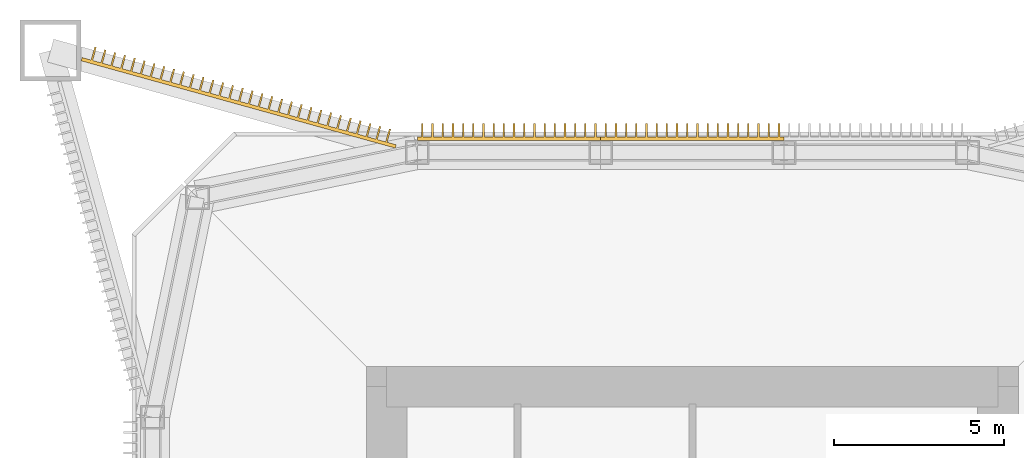
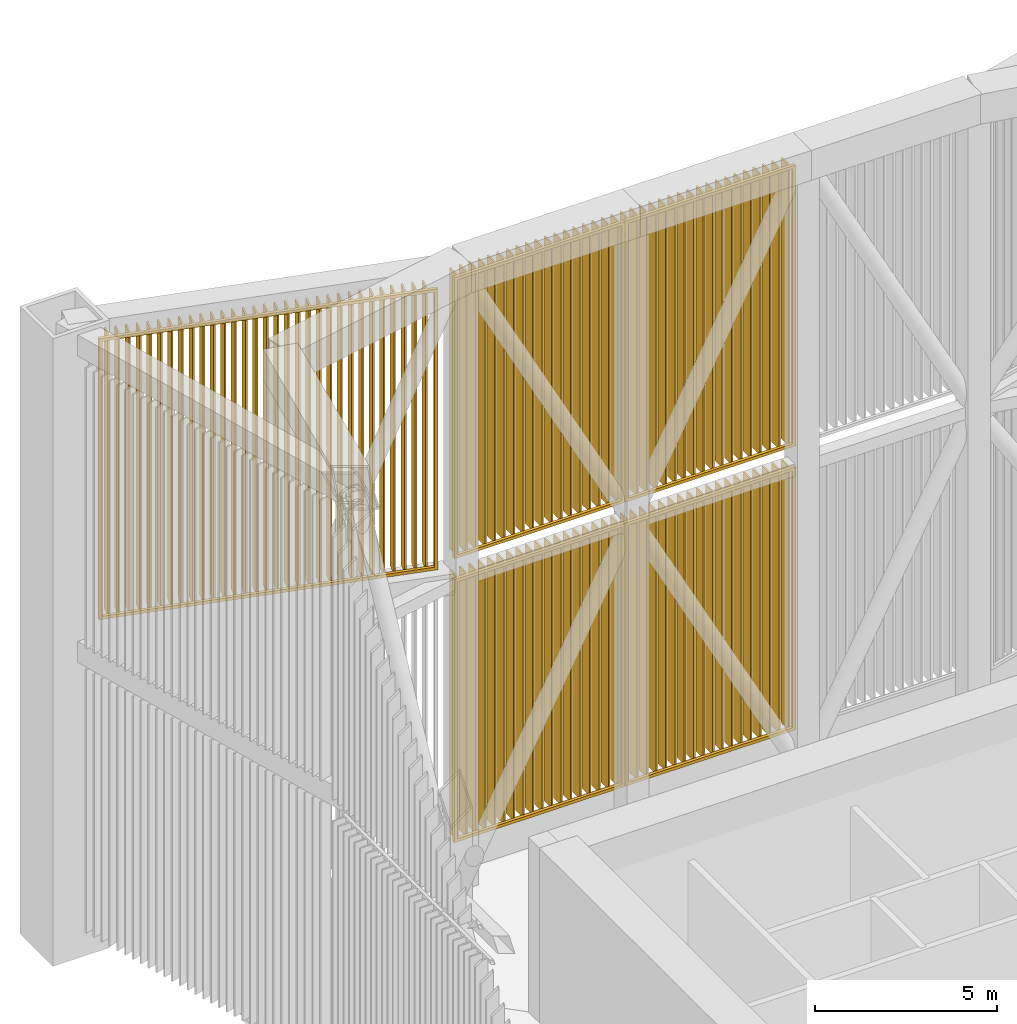
# One storey, part 11 of 13: 5 shading devices.
"""IFC4 building model written with IfcOpenShell, lengths in metres."""

from ifc_helpers import new_model, si_unit, direction, frame, origin, origin_2d, place, context, subcontext, project, spatial, rectangle, extrude, material, layer, layer_set, type_object, element, save


model = new_model("IFC4")

# Units and contexts
model_context = context("Model", 3, precision=1e-05, world=origin(), true_north=direction((0.0, 1.0)))
body_context = subcontext(model_context, "Body", "Model", "MODEL_VIEW")
ifc_project = project(units=[si_unit("LENGTHUNIT", "METRE"), si_unit("AREAUNIT", "SQUARE_METRE"), si_unit("VOLUMEUNIT", "CUBIC_METRE"), si_unit("PLANEANGLEUNIT", "RADIAN"), si_unit("MASSUNIT", "GRAM", prefix="KILO")], contexts=[model_context])

# Site, building, storey
site_placement = place(None, origin())
site = spatial("IfcSite", under=ifc_project, at=site_placement, CompositionType="ELEMENT")
building_placement = place(site_placement, origin())
building = spatial("IfcBuilding", under=site, at=building_placement, Name="Iwan Alto Co-Living Towers", CompositionType="ELEMENT")
storey_placement = place(building_placement, frame((0.0, 0.0, 267.5)))
storey = spatial("IfcBuildingStorey", under=building, at=storey_placement, Name="RF", CompositionType="ELEMENT", Elevation=267.5)

# Shading devices
ifc_material_1 = material(Name="Aluminium 6063-T6 bronze anodised", Category="aluminium")
ifc_layer_1 = layer(ifc_material_1, 0.39990234375, Name="Fins", Category="Finish")
ifc_material_2 = material(Name="Steel ASTM A36 galvanised frame", Category="steel")
ifc_layer_2 = layer(ifc_material_2, 0.10009765625, Name="Panel frame", Category="Framing")
ifc_layer_set_1 = layer_set([ifc_layer_1, ifc_layer_2], Name="CROWN FIN SCREEN CORNER PANEL")
shading_device_type_1 = type_object("IfcShadingDeviceType", Name="CROWN FIN SCREEN CORNER PANEL", PredefinedType="USERDEFINED", material=ifc_layer_set_1)
shading_device_1_placement = place(storey_placement, frame((0.0, 0.0, -267.5)))
element("IfcShadingDevice", 1, at=shading_device_1_placement, inside=storey, type_object=shading_device_type_1, Name="T1 crown fin screen NW-N upper", ObjectType="LOUVER", PredefinedType="USERDEFINED", context=body_context, shape_type="SweptSolid", body=[
    extrude(rectangle(XDim=9.59912109375, YDim=0.10009765625, at=origin_2d()), frame((-13.3603515625, 17.361083984375, 278.099853515625), z_axis=(0.0, 0.0, 1.0), x_axis=(-0.963517909615, 0.267643863841, 0.0)), (0.0, 0.0, 1.0), 0.10009765625),
    extrude(rectangle(XDim=9.59912109375, YDim=0.10009765625, at=origin_2d()), frame((-13.3603515625, 17.361083984375, 287.39990234375), z_axis=(0.0, 0.0, 1.0), x_axis=(-0.963517909615, 0.267643863841, 0.0)), (0.0, 0.0, 1.0), 0.10009765625),
    extrude(rectangle(XDim=0.10009765625, YDim=0.10009765625, at=origin_2d()), frame((-8.7841796875, 16.090087890625, 278.195068359375), z_axis=(0.0, 0.0, 1.0), x_axis=(-0.963517909615, 0.267643863841, 0.0)), (0.0, 0.0, 1.0), 9.2099609375),
    extrude(rectangle(XDim=0.10009765625, YDim=0.10009765625, at=origin_2d()), frame((-17.9365234375, 18.63232421875, 278.195068359375), z_axis=(0.0, 0.0, 1.0), x_axis=(-0.963517909615, 0.267643863841, 0.0)), (0.0, 0.0, 1.0), 9.2099609375),
    extrude(rectangle(XDim=0.050048828125, YDim=0.405029296875, at=origin_2d()), frame((-8.958251953125, 16.395263671875, 278.10009765625), z_axis=(0.0, 0.0, 1.0), x_axis=(-0.963517909615, 0.267643863841, 0.0)), (0.0, 0.0, 1.0), 9.39990234375),
    extrude(rectangle(XDim=0.050048828125, YDim=0.405029296875, at=origin_2d()), frame((-9.247314453125, 16.4755859375, 278.10009765625), z_axis=(0.0, 0.0, 1.0), x_axis=(-0.963517909615, 0.267643863841, 0.0)), (0.0, 0.0, 1.0), 9.39990234375),
    extrude(rectangle(XDim=0.050048828125, YDim=0.405029296875, at=origin_2d()), frame((-9.536376953125, 16.555908203125, 278.10009765625), z_axis=(0.0, 0.0, 1.0), x_axis=(-0.963517909615, 0.267643863841, 0.0)), (0.0, 0.0, 1.0), 9.39990234375),
    extrude(rectangle(XDim=0.050048828125, YDim=0.405029296875, at=origin_2d()), frame((-9.825439453125, 16.63623046875, 278.10009765625), z_axis=(0.0, 0.0, 1.0), x_axis=(-0.963517909615, 0.267643863841, 0.0)), (0.0, 0.0, 1.0), 9.39990234375),
    extrude(rectangle(XDim=0.050048828125, YDim=0.405029296875, at=origin_2d()), frame((-10.114501953125, 16.71630859375, 278.10009765625), z_axis=(0.0, 0.0, 1.0), x_axis=(-0.963517909615, 0.267643863841, 0.0)), (0.0, 0.0, 1.0), 9.39990234375),
    extrude(rectangle(XDim=0.050048828125, YDim=0.405029296875, at=origin_2d()), frame((-10.403564453125, 16.796630859375, 278.10009765625), z_axis=(0.0, 0.0, 1.0), x_axis=(-0.963517909615, 0.267643863841, 0.0)), (0.0, 0.0, 1.0), 9.39990234375),
    extrude(rectangle(XDim=0.050048828125, YDim=0.405029296875, at=origin_2d()), frame((-10.692626953125, 16.876953125, 278.10009765625), z_axis=(0.0, 0.0, 1.0), x_axis=(-0.963517909615, 0.267643863841, 0.0)), (0.0, 0.0, 1.0), 9.39990234375),
    extrude(rectangle(XDim=0.050048828125, YDim=0.405029296875, at=origin_2d()), frame((-10.981689453125, 16.957275390625, 278.10009765625), z_axis=(0.0, 0.0, 1.0), x_axis=(-0.963517909615, 0.267643863841, 0.0)), (0.0, 0.0, 1.0), 9.39990234375),
    extrude(rectangle(XDim=0.050048828125, YDim=0.405029296875, at=origin_2d()), frame((-11.270751953125, 17.03759765625, 278.10009765625), z_axis=(0.0, 0.0, 1.0), x_axis=(-0.963517909615, 0.267643863841, 0.0)), (0.0, 0.0, 1.0), 9.39990234375),
    extrude(rectangle(XDim=0.050048828125, YDim=0.405029296875, at=origin_2d()), frame((-11.559814453125, 17.117919921875, 278.10009765625), z_axis=(0.0, 0.0, 1.0), x_axis=(-0.963517909615, 0.267643863841, 0.0)), (0.0, 0.0, 1.0), 9.39990234375),
    extrude(rectangle(XDim=0.050048828125, YDim=0.405029296875, at=origin_2d()), frame((-11.848876953125, 17.1982421875, 278.10009765625), z_axis=(0.0, 0.0, 1.0), x_axis=(-0.963517909615, 0.267643863841, 0.0)), (0.0, 0.0, 1.0), 9.39990234375),
    extrude(rectangle(XDim=0.050048828125, YDim=0.405029296875, at=origin_2d()), frame((-12.137939453125, 17.278564453125, 278.10009765625), z_axis=(0.0, 0.0, 1.0), x_axis=(-0.963517909615, 0.267643863841, 0.0)), (0.0, 0.0, 1.0), 9.39990234375),
    extrude(rectangle(XDim=0.050048828125, YDim=0.405029296875, at=origin_2d()), frame((-12.427001953125, 17.35888671875, 278.10009765625), z_axis=(0.0, 0.0, 1.0), x_axis=(-0.963517909615, 0.267643863841, 0.0)), (0.0, 0.0, 1.0), 9.39990234375),
    extrude(rectangle(XDim=0.050048828125, YDim=0.405029296875, at=origin_2d()), frame((-12.716064453125, 17.439208984375, 278.10009765625), z_axis=(0.0, 0.0, 1.0), x_axis=(-0.963517909615, 0.267643863841, 0.0)), (0.0, 0.0, 1.0), 9.39990234375),
    extrude(rectangle(XDim=0.050048828125, YDim=0.405029296875, at=origin_2d()), frame((-13.0048828125, 17.519287109375, 278.10009765625), z_axis=(0.0, 0.0, 1.0), x_axis=(-0.963517909615, 0.267643863841, 0.0)), (0.0, 0.0, 1.0), 9.39990234375),
    extrude(rectangle(XDim=0.050048828125, YDim=0.405029296875, at=origin_2d()), frame((-13.294189453125, 17.599609375, 278.10009765625), z_axis=(0.0, 0.0, 1.0), x_axis=(-0.963517909615, 0.267643863841, 0.0)), (0.0, 0.0, 1.0), 9.39990234375),
    extrude(rectangle(XDim=0.050048828125, YDim=0.405029296875, at=origin_2d()), frame((-13.5830078125, 17.679931640625, 278.10009765625), z_axis=(0.0, 0.0, 1.0), x_axis=(-0.963517909615, 0.267643863841, 0.0)), (0.0, 0.0, 1.0), 9.39990234375),
    extrude(rectangle(XDim=0.050048828125, YDim=0.405029296875, at=origin_2d()), frame((-13.872314453125, 17.76025390625, 278.10009765625), z_axis=(0.0, 0.0, 1.0), x_axis=(-0.963517909615, 0.267643863841, 0.0)), (0.0, 0.0, 1.0), 9.39990234375),
    extrude(rectangle(XDim=0.050048828125, YDim=0.405029296875, at=origin_2d()), frame((-14.161376953125, 17.840576171875, 278.10009765625), z_axis=(0.0, 0.0, 1.0), x_axis=(-0.963517909615, 0.267643863841, 0.0)), (0.0, 0.0, 1.0), 9.39990234375),
    extrude(rectangle(XDim=0.050048828125, YDim=0.405029296875, at=origin_2d()), frame((-14.4501953125, 17.9208984375, 278.10009765625), z_axis=(0.0, 0.0, 1.0), x_axis=(-0.963517909615, 0.267643863841, 0.0)), (0.0, 0.0, 1.0), 9.39990234375),
    extrude(rectangle(XDim=0.050048828125, YDim=0.405029296875, at=origin_2d()), frame((-14.739501953125, 18.001220703125, 278.10009765625), z_axis=(0.0, 0.0, 1.0), x_axis=(-0.963517909615, 0.267643863841, 0.0)), (0.0, 0.0, 1.0), 9.39990234375),
    extrude(rectangle(XDim=0.050048828125, YDim=0.405029296875, at=origin_2d()), frame((-15.0283203125, 18.081298828125, 278.10009765625), z_axis=(0.0, 0.0, 1.0), x_axis=(-0.963517909615, 0.267643863841, 0.0)), (0.0, 0.0, 1.0), 9.39990234375),
    extrude(rectangle(XDim=0.050048828125, YDim=0.405029296875, at=origin_2d()), frame((-15.3173828125, 18.16162109375, 278.10009765625), z_axis=(0.0, 0.0, 1.0), x_axis=(-0.963517909615, 0.267643863841, 0.0)), (0.0, 0.0, 1.0), 9.39990234375),
    extrude(rectangle(XDim=0.050048828125, YDim=0.405029296875, at=origin_2d()), frame((-15.6064453125, 18.241943359375, 278.10009765625), z_axis=(0.0, 0.0, 1.0), x_axis=(-0.963517909615, 0.267643863841, 0.0)), (0.0, 0.0, 1.0), 9.39990234375),
    extrude(rectangle(XDim=0.050048828125, YDim=0.405029296875, at=origin_2d()), frame((-15.8955078125, 18.322265625, 278.10009765625), z_axis=(0.0, 0.0, 1.0), x_axis=(-0.963517909615, 0.267643863841, 0.0)), (0.0, 0.0, 1.0), 9.39990234375),
    extrude(rectangle(XDim=0.050048828125, YDim=0.405029296875, at=origin_2d()), frame((-16.1845703125, 18.402587890625, 278.10009765625), z_axis=(0.0, 0.0, 1.0), x_axis=(-0.963517909615, 0.267643863841, 0.0)), (0.0, 0.0, 1.0), 9.39990234375),
    extrude(rectangle(XDim=0.050048828125, YDim=0.405029296875, at=origin_2d()), frame((-16.4736328125, 18.48291015625, 278.10009765625), z_axis=(0.0, 0.0, 1.0), x_axis=(-0.963517909615, 0.267643863841, 0.0)), (0.0, 0.0, 1.0), 9.39990234375),
    extrude(rectangle(XDim=0.050048828125, YDim=0.405029296875, at=origin_2d()), frame((-16.7626953125, 18.563232421875, 278.10009765625), z_axis=(0.0, 0.0, 1.0), x_axis=(-0.963517909615, 0.267643863841, 0.0)), (0.0, 0.0, 1.0), 9.39990234375),
    extrude(rectangle(XDim=0.050048828125, YDim=0.405029296875, at=origin_2d()), frame((-17.0517578125, 18.6435546875, 278.10009765625), z_axis=(0.0, 0.0, 1.0), x_axis=(-0.963517909615, 0.267643863841, 0.0)), (0.0, 0.0, 1.0), 9.39990234375),
    extrude(rectangle(XDim=0.050048828125, YDim=0.405029296875, at=origin_2d()), frame((-17.3408203125, 18.723876953125, 278.10009765625), z_axis=(0.0, 0.0, 1.0), x_axis=(-0.963517909615, 0.267643863841, 0.0)), (0.0, 0.0, 1.0), 9.39990234375),
    extrude(rectangle(XDim=0.050048828125, YDim=0.405029296875, at=origin_2d()), frame((-17.6298828125, 18.80419921875, 278.10009765625), z_axis=(0.0, 0.0, 1.0), x_axis=(-0.963517909615, 0.267643863841, 0.0)), (0.0, 0.0, 1.0), 9.39990234375),
])
ifc_layer_3 = layer(ifc_material_1, 0.39990234375, Name="Fins", Category="Finish")
ifc_layer_4 = layer(ifc_material_2, 0.10009765625, Name="Panel frame", Category="Framing")
ifc_layer_set_2 = layer_set([ifc_layer_3, ifc_layer_4], Name="CROWN FIN SCREEN PANEL")
shading_device_type_2 = type_object("IfcShadingDeviceType", Name="CROWN FIN SCREEN PANEL", PredefinedType="USERDEFINED", material=ifc_layer_set_2)
shading_device_2_placement = place(storey_placement, frame((0.0, 0.0, -267.5)))
element("IfcShadingDevice", 2, at=shading_device_2_placement, inside=storey, type_object=shading_device_type_2, Name="T1 crown fin screen N-02 lower", ObjectType="LOUVER", PredefinedType="USERDEFINED", context=body_context, shape_type="SweptSolid", body=[
    extrude(rectangle(XDim=5.39990234375, YDim=0.10009765625, at=origin_2d()), frame((0.0, 16.300048828125, 268.599853515625), z_axis=(0.0, 0.0, 1.0), x_axis=(-1.0, 0.0, 0.0)), (0.0, 0.0, 1.0), 0.10009765625),
    extrude(rectangle(XDim=5.39990234375, YDim=0.10009765625, at=origin_2d()), frame((0.0, 16.300048828125, 277.300048828125), z_axis=(0.0, 0.0, 1.0), x_axis=(-1.0, 0.0, 0.0)), (0.0, 0.0, 1.0), 0.10009765625),
    extrude(rectangle(XDim=0.10009765625, YDim=0.10009765625, at=origin_2d()), frame((2.64990234375, 16.300048828125, 268.69482421875), z_axis=(0.0, 0.0, 1.0), x_axis=(-1.0, 0.0, 0.0)), (0.0, 0.0, 1.0), 8.610107421875),
    extrude(rectangle(XDim=0.10009765625, YDim=0.10009765625, at=origin_2d()), frame((-2.64990234375, 16.300048828125, 268.69482421875), z_axis=(0.0, 0.0, 1.0), x_axis=(-1.0, 0.0, 0.0)), (0.0, 0.0, 1.0), 8.610107421875),
    extrude(rectangle(XDim=0.050048828125, YDim=0.405029296875, at=origin_2d()), frame((2.550048828125, 16.547607421875, 268.60009765625), z_axis=(0.0, 0.0, 1.0), x_axis=(-1.0, 0.0, 0.0)), (0.0, 0.0, 1.0), 8.800048828125),
    extrude(rectangle(XDim=0.050048828125, YDim=0.405029296875, at=origin_2d()), frame((2.25, 16.547607421875, 268.60009765625), z_axis=(0.0, 0.0, 1.0), x_axis=(-1.0, 0.0, 0.0)), (0.0, 0.0, 1.0), 8.800048828125),
    extrude(rectangle(XDim=0.050048828125, YDim=0.405029296875, at=origin_2d()), frame((1.949951171875, 16.547607421875, 268.60009765625), z_axis=(0.0, 0.0, 1.0), x_axis=(-1.0, 0.0, 0.0)), (0.0, 0.0, 1.0), 8.800048828125),
    extrude(rectangle(XDim=0.050048828125, YDim=0.405029296875, at=origin_2d()), frame((1.64990234375, 16.547607421875, 268.60009765625), z_axis=(0.0, 0.0, 1.0), x_axis=(-1.0, 0.0, 0.0)), (0.0, 0.0, 1.0), 8.800048828125),
    extrude(rectangle(XDim=0.050048828125, YDim=0.405029296875, at=origin_2d()), frame((1.35009765625, 16.547607421875, 268.60009765625), z_axis=(0.0, 0.0, 1.0), x_axis=(-1.0, 0.0, 0.0)), (0.0, 0.0, 1.0), 8.800048828125),
    extrude(rectangle(XDim=0.050048828125, YDim=0.405029296875, at=origin_2d()), frame((1.050048828125, 16.547607421875, 268.60009765625), z_axis=(0.0, 0.0, 1.0), x_axis=(-1.0, 0.0, 0.0)), (0.0, 0.0, 1.0), 8.800048828125),
    extrude(rectangle(XDim=0.050048828125, YDim=0.405029296875, at=origin_2d()), frame((0.75, 16.547607421875, 268.60009765625), z_axis=(0.0, 0.0, 1.0), x_axis=(-1.0, 0.0, 0.0)), (0.0, 0.0, 1.0), 8.800048828125),
    extrude(rectangle(XDim=0.050048828125, YDim=0.405029296875, at=origin_2d()), frame((0.449951171875, 16.547607421875, 268.60009765625), z_axis=(0.0, 0.0, 1.0), x_axis=(-1.0, 0.0, 0.0)), (0.0, 0.0, 1.0), 8.800048828125),
    extrude(rectangle(XDim=0.050048828125, YDim=0.405029296875, at=origin_2d()), frame((0.14990234375, 16.547607421875, 268.60009765625), z_axis=(0.0, 0.0, 1.0), x_axis=(-1.0, 0.0, 0.0)), (0.0, 0.0, 1.0), 8.800048828125),
    extrude(rectangle(XDim=0.050048828125, YDim=0.405029296875, at=origin_2d()), frame((-0.14990234375, 16.547607421875, 268.60009765625), z_axis=(0.0, 0.0, 1.0), x_axis=(-1.0, 0.0, 0.0)), (0.0, 0.0, 1.0), 8.800048828125),
    extrude(rectangle(XDim=0.050048828125, YDim=0.405029296875, at=origin_2d()), frame((-0.449951171875, 16.547607421875, 268.60009765625), z_axis=(0.0, 0.0, 1.0), x_axis=(-1.0, 0.0, 0.0)), (0.0, 0.0, 1.0), 8.800048828125),
    extrude(rectangle(XDim=0.050048828125, YDim=0.405029296875, at=origin_2d()), frame((-0.75, 16.547607421875, 268.60009765625), z_axis=(0.0, 0.0, 1.0), x_axis=(-1.0, 0.0, 0.0)), (0.0, 0.0, 1.0), 8.800048828125),
    extrude(rectangle(XDim=0.050048828125, YDim=0.405029296875, at=origin_2d()), frame((-1.050048828125, 16.547607421875, 268.60009765625), z_axis=(0.0, 0.0, 1.0), x_axis=(-1.0, 0.0, 0.0)), (0.0, 0.0, 1.0), 8.800048828125),
    extrude(rectangle(XDim=0.050048828125, YDim=0.405029296875, at=origin_2d()), frame((-1.35009765625, 16.547607421875, 268.60009765625), z_axis=(0.0, 0.0, 1.0), x_axis=(-1.0, 0.0, 0.0)), (0.0, 0.0, 1.0), 8.800048828125),
    extrude(rectangle(XDim=0.050048828125, YDim=0.405029296875, at=origin_2d()), frame((-1.64990234375, 16.547607421875, 268.60009765625), z_axis=(0.0, 0.0, 1.0), x_axis=(-1.0, 0.0, 0.0)), (0.0, 0.0, 1.0), 8.800048828125),
    extrude(rectangle(XDim=0.050048828125, YDim=0.405029296875, at=origin_2d()), frame((-1.949951171875, 16.547607421875, 268.60009765625), z_axis=(0.0, 0.0, 1.0), x_axis=(-1.0, 0.0, 0.0)), (0.0, 0.0, 1.0), 8.800048828125),
    extrude(rectangle(XDim=0.050048828125, YDim=0.405029296875, at=origin_2d()), frame((-2.25, 16.547607421875, 268.60009765625), z_axis=(0.0, 0.0, 1.0), x_axis=(-1.0, 0.0, 0.0)), (0.0, 0.0, 1.0), 8.800048828125),
    extrude(rectangle(XDim=0.050048828125, YDim=0.405029296875, at=origin_2d()), frame((-2.550048828125, 16.547607421875, 268.60009765625), z_axis=(0.0, 0.0, 1.0), x_axis=(-1.0, 0.0, 0.0)), (0.0, 0.0, 1.0), 8.800048828125),
])
shading_device_3_placement = place(storey_placement, frame((0.0, 0.0, -267.5)))
element("IfcShadingDevice", 3, at=shading_device_3_placement, inside=storey, type_object=shading_device_type_2, Name="T1 crown fin screen N-02 upper", ObjectType="LOUVER", PredefinedType="USERDEFINED", context=body_context, shape_type="SweptSolid", body=[
    extrude(rectangle(XDim=5.39990234375, YDim=0.10009765625, at=origin_2d()), frame((0.0, 16.300048828125, 278.099853515625), z_axis=(0.0, 0.0, 1.0), x_axis=(-1.0, 0.0, 0.0)), (0.0, 0.0, 1.0), 0.10009765625),
    extrude(rectangle(XDim=5.39990234375, YDim=0.10009765625, at=origin_2d()), frame((0.0, 16.300048828125, 287.39990234375), z_axis=(0.0, 0.0, 1.0), x_axis=(-1.0, 0.0, 0.0)), (0.0, 0.0, 1.0), 0.10009765625),
    extrude(rectangle(XDim=0.10009765625, YDim=0.10009765625, at=origin_2d()), frame((2.64990234375, 16.300048828125, 278.195068359375), z_axis=(0.0, 0.0, 1.0), x_axis=(-1.0, 0.0, 0.0)), (0.0, 0.0, 1.0), 9.2099609375),
    extrude(rectangle(XDim=0.10009765625, YDim=0.10009765625, at=origin_2d()), frame((-2.64990234375, 16.300048828125, 278.195068359375), z_axis=(0.0, 0.0, 1.0), x_axis=(-1.0, 0.0, 0.0)), (0.0, 0.0, 1.0), 9.2099609375),
    extrude(rectangle(XDim=0.050048828125, YDim=0.405029296875, at=origin_2d()), frame((2.550048828125, 16.547607421875, 278.10009765625), z_axis=(0.0, 0.0, 1.0), x_axis=(-1.0, 0.0, 0.0)), (0.0, 0.0, 1.0), 9.39990234375),
    extrude(rectangle(XDim=0.050048828125, YDim=0.405029296875, at=origin_2d()), frame((2.25, 16.547607421875, 278.10009765625), z_axis=(0.0, 0.0, 1.0), x_axis=(-1.0, 0.0, 0.0)), (0.0, 0.0, 1.0), 9.39990234375),
    extrude(rectangle(XDim=0.050048828125, YDim=0.405029296875, at=origin_2d()), frame((1.949951171875, 16.547607421875, 278.10009765625), z_axis=(0.0, 0.0, 1.0), x_axis=(-1.0, 0.0, 0.0)), (0.0, 0.0, 1.0), 9.39990234375),
    extrude(rectangle(XDim=0.050048828125, YDim=0.405029296875, at=origin_2d()), frame((1.64990234375, 16.547607421875, 278.10009765625), z_axis=(0.0, 0.0, 1.0), x_axis=(-1.0, 0.0, 0.0)), (0.0, 0.0, 1.0), 9.39990234375),
    extrude(rectangle(XDim=0.050048828125, YDim=0.405029296875, at=origin_2d()), frame((1.35009765625, 16.547607421875, 278.10009765625), z_axis=(0.0, 0.0, 1.0), x_axis=(-1.0, 0.0, 0.0)), (0.0, 0.0, 1.0), 9.39990234375),
    extrude(rectangle(XDim=0.050048828125, YDim=0.405029296875, at=origin_2d()), frame((1.050048828125, 16.547607421875, 278.10009765625), z_axis=(0.0, 0.0, 1.0), x_axis=(-1.0, 0.0, 0.0)), (0.0, 0.0, 1.0), 9.39990234375),
    extrude(rectangle(XDim=0.050048828125, YDim=0.405029296875, at=origin_2d()), frame((0.75, 16.547607421875, 278.10009765625), z_axis=(0.0, 0.0, 1.0), x_axis=(-1.0, 0.0, 0.0)), (0.0, 0.0, 1.0), 9.39990234375),
    extrude(rectangle(XDim=0.050048828125, YDim=0.405029296875, at=origin_2d()), frame((0.449951171875, 16.547607421875, 278.10009765625), z_axis=(0.0, 0.0, 1.0), x_axis=(-1.0, 0.0, 0.0)), (0.0, 0.0, 1.0), 9.39990234375),
    extrude(rectangle(XDim=0.050048828125, YDim=0.405029296875, at=origin_2d()), frame((0.14990234375, 16.547607421875, 278.10009765625), z_axis=(0.0, 0.0, 1.0), x_axis=(-1.0, 0.0, 0.0)), (0.0, 0.0, 1.0), 9.39990234375),
    extrude(rectangle(XDim=0.050048828125, YDim=0.405029296875, at=origin_2d()), frame((-0.14990234375, 16.547607421875, 278.10009765625), z_axis=(0.0, 0.0, 1.0), x_axis=(-1.0, 0.0, 0.0)), (0.0, 0.0, 1.0), 9.39990234375),
    extrude(rectangle(XDim=0.050048828125, YDim=0.405029296875, at=origin_2d()), frame((-0.449951171875, 16.547607421875, 278.10009765625), z_axis=(0.0, 0.0, 1.0), x_axis=(-1.0, 0.0, 0.0)), (0.0, 0.0, 1.0), 9.39990234375),
    extrude(rectangle(XDim=0.050048828125, YDim=0.405029296875, at=origin_2d()), frame((-0.75, 16.547607421875, 278.10009765625), z_axis=(0.0, 0.0, 1.0), x_axis=(-1.0, 0.0, 0.0)), (0.0, 0.0, 1.0), 9.39990234375),
    extrude(rectangle(XDim=0.050048828125, YDim=0.405029296875, at=origin_2d()), frame((-1.050048828125, 16.547607421875, 278.10009765625), z_axis=(0.0, 0.0, 1.0), x_axis=(-1.0, 0.0, 0.0)), (0.0, 0.0, 1.0), 9.39990234375),
    extrude(rectangle(XDim=0.050048828125, YDim=0.405029296875, at=origin_2d()), frame((-1.35009765625, 16.547607421875, 278.10009765625), z_axis=(0.0, 0.0, 1.0), x_axis=(-1.0, 0.0, 0.0)), (0.0, 0.0, 1.0), 9.39990234375),
    extrude(rectangle(XDim=0.050048828125, YDim=0.405029296875, at=origin_2d()), frame((-1.64990234375, 16.547607421875, 278.10009765625), z_axis=(0.0, 0.0, 1.0), x_axis=(-1.0, 0.0, 0.0)), (0.0, 0.0, 1.0), 9.39990234375),
    extrude(rectangle(XDim=0.050048828125, YDim=0.405029296875, at=origin_2d()), frame((-1.949951171875, 16.547607421875, 278.10009765625), z_axis=(0.0, 0.0, 1.0), x_axis=(-1.0, 0.0, 0.0)), (0.0, 0.0, 1.0), 9.39990234375),
    extrude(rectangle(XDim=0.050048828125, YDim=0.405029296875, at=origin_2d()), frame((-2.25, 16.547607421875, 278.10009765625), z_axis=(0.0, 0.0, 1.0), x_axis=(-1.0, 0.0, 0.0)), (0.0, 0.0, 1.0), 9.39990234375),
    extrude(rectangle(XDim=0.050048828125, YDim=0.405029296875, at=origin_2d()), frame((-2.550048828125, 16.547607421875, 278.10009765625), z_axis=(0.0, 0.0, 1.0), x_axis=(-1.0, 0.0, 0.0)), (0.0, 0.0, 1.0), 9.39990234375),
])
shading_device_4_placement = place(storey_placement, frame((0.0, 0.0, -267.5)))
element("IfcShadingDevice", 4, at=shading_device_4_placement, inside=storey, type_object=shading_device_type_2, Name="T1 crown fin screen N-03 lower", ObjectType="LOUVER", PredefinedType="USERDEFINED", context=body_context, shape_type="SweptSolid", body=[
    extrude(rectangle(XDim=5.39990234375, YDim=0.10009765625, at=origin_2d()), frame((-5.39990234375, 16.300048828125, 268.599853515625), z_axis=(0.0, 0.0, 1.0), x_axis=(-1.0, 0.0, 0.0)), (0.0, 0.0, 1.0), 0.10009765625),
    extrude(rectangle(XDim=5.39990234375, YDim=0.10009765625, at=origin_2d()), frame((-5.39990234375, 16.300048828125, 277.300048828125), z_axis=(0.0, 0.0, 1.0), x_axis=(-1.0, 0.0, 0.0)), (0.0, 0.0, 1.0), 0.10009765625),
    extrude(rectangle(XDim=0.10009765625, YDim=0.10009765625, at=origin_2d()), frame((-2.75, 16.300048828125, 268.69482421875), z_axis=(0.0, 0.0, 1.0), x_axis=(-1.0, 0.0, 0.0)), (0.0, 0.0, 1.0), 8.610107421875),
    extrude(rectangle(XDim=0.10009765625, YDim=0.10009765625, at=origin_2d()), frame((-8.050048828125, 16.300048828125, 268.69482421875), z_axis=(0.0, 0.0, 1.0), x_axis=(-1.0, 0.0, 0.0)), (0.0, 0.0, 1.0), 8.610107421875),
    extrude(rectangle(XDim=0.050048828125, YDim=0.405029296875, at=origin_2d()), frame((-2.85009765625, 16.547607421875, 268.60009765625), z_axis=(0.0, 0.0, 1.0), x_axis=(-1.0, 0.0, 0.0)), (0.0, 0.0, 1.0), 8.800048828125),
    extrude(rectangle(XDim=0.050048828125, YDim=0.405029296875, at=origin_2d()), frame((-3.14990234375, 16.547607421875, 268.60009765625), z_axis=(0.0, 0.0, 1.0), x_axis=(-1.0, 0.0, 0.0)), (0.0, 0.0, 1.0), 8.800048828125),
    extrude(rectangle(XDim=0.050048828125, YDim=0.405029296875, at=origin_2d()), frame((-3.449951171875, 16.547607421875, 268.60009765625), z_axis=(0.0, 0.0, 1.0), x_axis=(-1.0, 0.0, 0.0)), (0.0, 0.0, 1.0), 8.800048828125),
    extrude(rectangle(XDim=0.050048828125, YDim=0.405029296875, at=origin_2d()), frame((-3.75, 16.547607421875, 268.60009765625), z_axis=(0.0, 0.0, 1.0), x_axis=(-1.0, 0.0, 0.0)), (0.0, 0.0, 1.0), 8.800048828125),
    extrude(rectangle(XDim=0.050048828125, YDim=0.405029296875, at=origin_2d()), frame((-4.050048828125, 16.547607421875, 268.60009765625), z_axis=(0.0, 0.0, 1.0), x_axis=(-1.0, 0.0, 0.0)), (0.0, 0.0, 1.0), 8.800048828125),
    extrude(rectangle(XDim=0.050048828125, YDim=0.405029296875, at=origin_2d()), frame((-4.35009765625, 16.547607421875, 268.60009765625), z_axis=(0.0, 0.0, 1.0), x_axis=(-1.0, 0.0, 0.0)), (0.0, 0.0, 1.0), 8.800048828125),
    extrude(rectangle(XDim=0.050048828125, YDim=0.405029296875, at=origin_2d()), frame((-4.64990234375, 16.547607421875, 268.60009765625), z_axis=(0.0, 0.0, 1.0), x_axis=(-1.0, 0.0, 0.0)), (0.0, 0.0, 1.0), 8.800048828125),
    extrude(rectangle(XDim=0.050048828125, YDim=0.405029296875, at=origin_2d()), frame((-4.949951171875, 16.547607421875, 268.60009765625), z_axis=(0.0, 0.0, 1.0), x_axis=(-1.0, 0.0, 0.0)), (0.0, 0.0, 1.0), 8.800048828125),
    extrude(rectangle(XDim=0.050048828125, YDim=0.405029296875, at=origin_2d()), frame((-5.25, 16.547607421875, 268.60009765625), z_axis=(0.0, 0.0, 1.0), x_axis=(-1.0, 0.0, 0.0)), (0.0, 0.0, 1.0), 8.800048828125),
    extrude(rectangle(XDim=0.050048828125, YDim=0.405029296875, at=origin_2d()), frame((-5.550048828125, 16.547607421875, 268.60009765625), z_axis=(0.0, 0.0, 1.0), x_axis=(-1.0, 0.0, 0.0)), (0.0, 0.0, 1.0), 8.800048828125),
    extrude(rectangle(XDim=0.050048828125, YDim=0.405029296875, at=origin_2d()), frame((-5.85009765625, 16.547607421875, 268.60009765625), z_axis=(0.0, 0.0, 1.0), x_axis=(-1.0, 0.0, 0.0)), (0.0, 0.0, 1.0), 8.800048828125),
    extrude(rectangle(XDim=0.050048828125, YDim=0.405029296875, at=origin_2d()), frame((-6.14990234375, 16.547607421875, 268.60009765625), z_axis=(0.0, 0.0, 1.0), x_axis=(-1.0, 0.0, 0.0)), (0.0, 0.0, 1.0), 8.800048828125),
    extrude(rectangle(XDim=0.050048828125, YDim=0.405029296875, at=origin_2d()), frame((-6.449951171875, 16.547607421875, 268.60009765625), z_axis=(0.0, 0.0, 1.0), x_axis=(-1.0, 0.0, 0.0)), (0.0, 0.0, 1.0), 8.800048828125),
    extrude(rectangle(XDim=0.050048828125, YDim=0.405029296875, at=origin_2d()), frame((-6.75, 16.547607421875, 268.60009765625), z_axis=(0.0, 0.0, 1.0), x_axis=(-1.0, 0.0, 0.0)), (0.0, 0.0, 1.0), 8.800048828125),
    extrude(rectangle(XDim=0.050048828125, YDim=0.405029296875, at=origin_2d()), frame((-7.050048828125, 16.547607421875, 268.60009765625), z_axis=(0.0, 0.0, 1.0), x_axis=(-1.0, 0.0, 0.0)), (0.0, 0.0, 1.0), 8.800048828125),
    extrude(rectangle(XDim=0.050048828125, YDim=0.405029296875, at=origin_2d()), frame((-7.35009765625, 16.547607421875, 268.60009765625), z_axis=(0.0, 0.0, 1.0), x_axis=(-1.0, 0.0, 0.0)), (0.0, 0.0, 1.0), 8.800048828125),
    extrude(rectangle(XDim=0.050048828125, YDim=0.405029296875, at=origin_2d()), frame((-7.64990234375, 16.547607421875, 268.60009765625), z_axis=(0.0, 0.0, 1.0), x_axis=(-1.0, 0.0, 0.0)), (0.0, 0.0, 1.0), 8.800048828125),
    extrude(rectangle(XDim=0.050048828125, YDim=0.405029296875, at=origin_2d()), frame((-7.949951171875, 16.547607421875, 268.60009765625), z_axis=(0.0, 0.0, 1.0), x_axis=(-1.0, 0.0, 0.0)), (0.0, 0.0, 1.0), 8.800048828125),
])
shading_device_5_placement = place(storey_placement, frame((0.0, 0.0, -267.5)))
element("IfcShadingDevice", 5, at=shading_device_5_placement, inside=storey, type_object=shading_device_type_2, Name="T1 crown fin screen N-03 upper", ObjectType="LOUVER", PredefinedType="USERDEFINED", context=body_context, shape_type="SweptSolid", body=[
    extrude(rectangle(XDim=5.39990234375, YDim=0.10009765625, at=origin_2d()), frame((-5.39990234375, 16.300048828125, 278.099853515625), z_axis=(0.0, 0.0, 1.0), x_axis=(-1.0, 0.0, 0.0)), (0.0, 0.0, 1.0), 0.10009765625),
    extrude(rectangle(XDim=5.39990234375, YDim=0.10009765625, at=origin_2d()), frame((-5.39990234375, 16.300048828125, 287.39990234375), z_axis=(0.0, 0.0, 1.0), x_axis=(-1.0, 0.0, 0.0)), (0.0, 0.0, 1.0), 0.10009765625),
    extrude(rectangle(XDim=0.10009765625, YDim=0.10009765625, at=origin_2d()), frame((-2.75, 16.300048828125, 278.195068359375), z_axis=(0.0, 0.0, 1.0), x_axis=(-1.0, 0.0, 0.0)), (0.0, 0.0, 1.0), 9.2099609375),
    extrude(rectangle(XDim=0.10009765625, YDim=0.10009765625, at=origin_2d()), frame((-8.050048828125, 16.300048828125, 278.195068359375), z_axis=(0.0, 0.0, 1.0), x_axis=(-1.0, 0.0, 0.0)), (0.0, 0.0, 1.0), 9.2099609375),
    extrude(rectangle(XDim=0.050048828125, YDim=0.405029296875, at=origin_2d()), frame((-2.85009765625, 16.547607421875, 278.10009765625), z_axis=(0.0, 0.0, 1.0), x_axis=(-1.0, 0.0, 0.0)), (0.0, 0.0, 1.0), 9.39990234375),
    extrude(rectangle(XDim=0.050048828125, YDim=0.405029296875, at=origin_2d()), frame((-3.14990234375, 16.547607421875, 278.10009765625), z_axis=(0.0, 0.0, 1.0), x_axis=(-1.0, 0.0, 0.0)), (0.0, 0.0, 1.0), 9.39990234375),
    extrude(rectangle(XDim=0.050048828125, YDim=0.405029296875, at=origin_2d()), frame((-3.449951171875, 16.547607421875, 278.10009765625), z_axis=(0.0, 0.0, 1.0), x_axis=(-1.0, 0.0, 0.0)), (0.0, 0.0, 1.0), 9.39990234375),
    extrude(rectangle(XDim=0.050048828125, YDim=0.405029296875, at=origin_2d()), frame((-3.75, 16.547607421875, 278.10009765625), z_axis=(0.0, 0.0, 1.0), x_axis=(-1.0, 0.0, 0.0)), (0.0, 0.0, 1.0), 9.39990234375),
    extrude(rectangle(XDim=0.050048828125, YDim=0.405029296875, at=origin_2d()), frame((-4.050048828125, 16.547607421875, 278.10009765625), z_axis=(0.0, 0.0, 1.0), x_axis=(-1.0, 0.0, 0.0)), (0.0, 0.0, 1.0), 9.39990234375),
    extrude(rectangle(XDim=0.050048828125, YDim=0.405029296875, at=origin_2d()), frame((-4.35009765625, 16.547607421875, 278.10009765625), z_axis=(0.0, 0.0, 1.0), x_axis=(-1.0, 0.0, 0.0)), (0.0, 0.0, 1.0), 9.39990234375),
    extrude(rectangle(XDim=0.050048828125, YDim=0.405029296875, at=origin_2d()), frame((-4.64990234375, 16.547607421875, 278.10009765625), z_axis=(0.0, 0.0, 1.0), x_axis=(-1.0, 0.0, 0.0)), (0.0, 0.0, 1.0), 9.39990234375),
    extrude(rectangle(XDim=0.050048828125, YDim=0.405029296875, at=origin_2d()), frame((-4.949951171875, 16.547607421875, 278.10009765625), z_axis=(0.0, 0.0, 1.0), x_axis=(-1.0, 0.0, 0.0)), (0.0, 0.0, 1.0), 9.39990234375),
    extrude(rectangle(XDim=0.050048828125, YDim=0.405029296875, at=origin_2d()), frame((-5.25, 16.547607421875, 278.10009765625), z_axis=(0.0, 0.0, 1.0), x_axis=(-1.0, 0.0, 0.0)), (0.0, 0.0, 1.0), 9.39990234375),
    extrude(rectangle(XDim=0.050048828125, YDim=0.405029296875, at=origin_2d()), frame((-5.550048828125, 16.547607421875, 278.10009765625), z_axis=(0.0, 0.0, 1.0), x_axis=(-1.0, 0.0, 0.0)), (0.0, 0.0, 1.0), 9.39990234375),
    extrude(rectangle(XDim=0.050048828125, YDim=0.405029296875, at=origin_2d()), frame((-5.85009765625, 16.547607421875, 278.10009765625), z_axis=(0.0, 0.0, 1.0), x_axis=(-1.0, 0.0, 0.0)), (0.0, 0.0, 1.0), 9.39990234375),
    extrude(rectangle(XDim=0.050048828125, YDim=0.405029296875, at=origin_2d()), frame((-6.14990234375, 16.547607421875, 278.10009765625), z_axis=(0.0, 0.0, 1.0), x_axis=(-1.0, 0.0, 0.0)), (0.0, 0.0, 1.0), 9.39990234375),
    extrude(rectangle(XDim=0.050048828125, YDim=0.405029296875, at=origin_2d()), frame((-6.449951171875, 16.547607421875, 278.10009765625), z_axis=(0.0, 0.0, 1.0), x_axis=(-1.0, 0.0, 0.0)), (0.0, 0.0, 1.0), 9.39990234375),
    extrude(rectangle(XDim=0.050048828125, YDim=0.405029296875, at=origin_2d()), frame((-6.75, 16.547607421875, 278.10009765625), z_axis=(0.0, 0.0, 1.0), x_axis=(-1.0, 0.0, 0.0)), (0.0, 0.0, 1.0), 9.39990234375),
    extrude(rectangle(XDim=0.050048828125, YDim=0.405029296875, at=origin_2d()), frame((-7.050048828125, 16.547607421875, 278.10009765625), z_axis=(0.0, 0.0, 1.0), x_axis=(-1.0, 0.0, 0.0)), (0.0, 0.0, 1.0), 9.39990234375),
    extrude(rectangle(XDim=0.050048828125, YDim=0.405029296875, at=origin_2d()), frame((-7.35009765625, 16.547607421875, 278.10009765625), z_axis=(0.0, 0.0, 1.0), x_axis=(-1.0, 0.0, 0.0)), (0.0, 0.0, 1.0), 9.39990234375),
    extrude(rectangle(XDim=0.050048828125, YDim=0.405029296875, at=origin_2d()), frame((-7.64990234375, 16.547607421875, 278.10009765625), z_axis=(0.0, 0.0, 1.0), x_axis=(-1.0, 0.0, 0.0)), (0.0, 0.0, 1.0), 9.39990234375),
    extrude(rectangle(XDim=0.050048828125, YDim=0.405029296875, at=origin_2d()), frame((-7.949951171875, 16.547607421875, 278.10009765625), z_axis=(0.0, 0.0, 1.0), x_axis=(-1.0, 0.0, 0.0)), (0.0, 0.0, 1.0), 9.39990234375),
])

save(model, "model.ifc")
